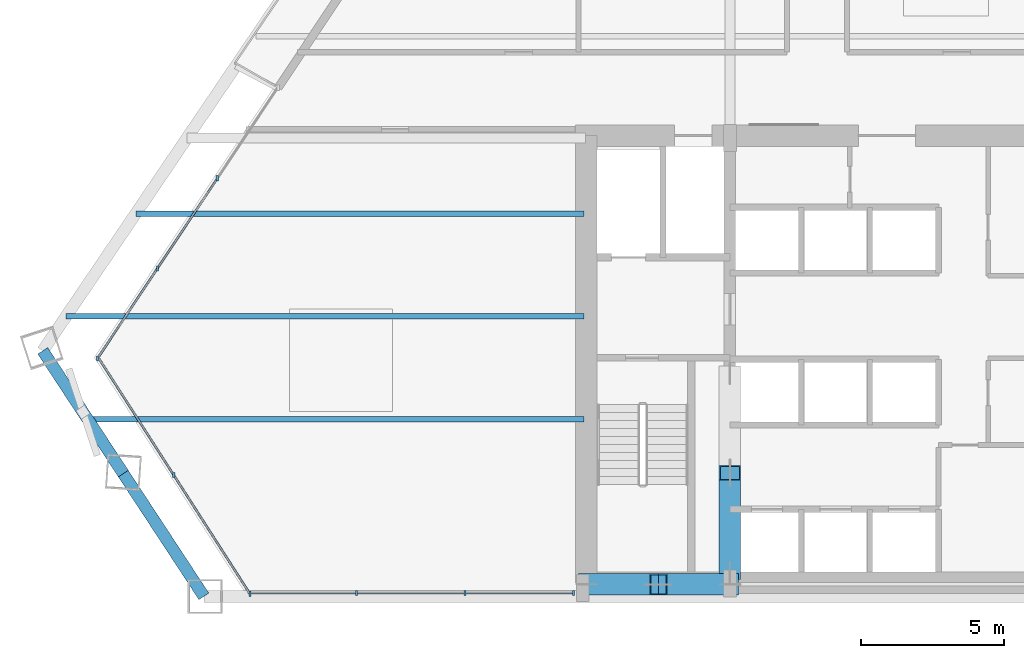
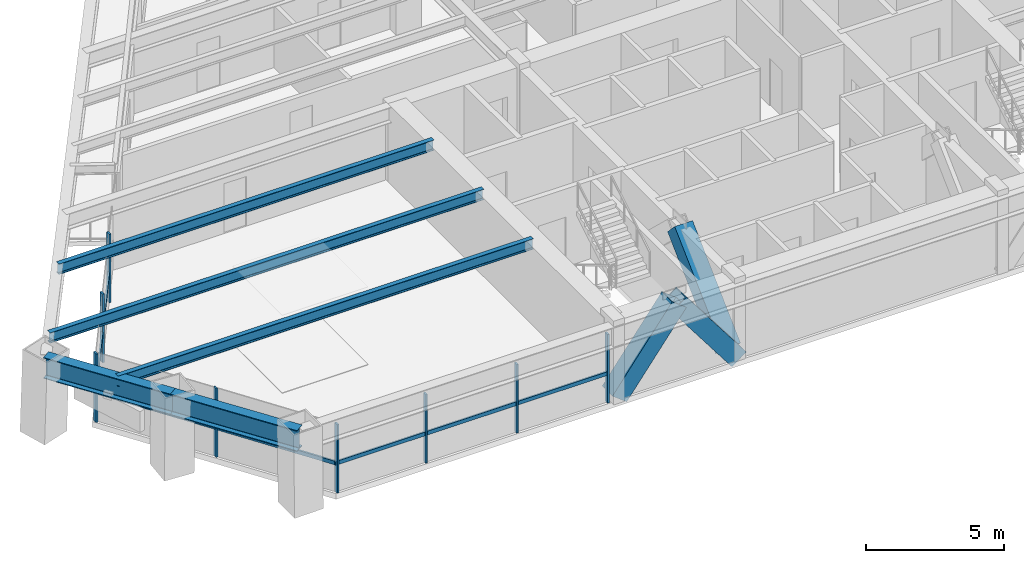
# One storey, part 2 of 14: 18 members, 5 beams, 3 elements without a shape of their own.
"""IFC4 building model written with IfcOpenShell, lengths in metres."""

from ifc_helpers import new_model, si_unit, direction, frame, origin, origin_2d, place, context, subcontext, project, spatial, rectangle, hollow_rectangle, i_section, extrude, source, transform, mapped, material, material_profile, profile_set, type_object, element, aggregate, save


model = new_model("IFC4")

# Units and contexts
model_context = context("Model", 3, precision=1e-05, world=origin(), true_north=direction((0.0, 1.0)))
body_context = subcontext(model_context, "Body", "Model", "MODEL_VIEW")
ifc_project = project(units=[si_unit("LENGTHUNIT", "METRE"), si_unit("AREAUNIT", "SQUARE_METRE"), si_unit("VOLUMEUNIT", "CUBIC_METRE"), si_unit("PLANEANGLEUNIT", "RADIAN"), si_unit("MASSUNIT", "GRAM", prefix="KILO")], contexts=[model_context])

# Site, building, storey
site_placement = place(None, origin())
site = spatial("IfcSite", under=ifc_project, at=site_placement, CompositionType="ELEMENT")
building_placement = place(site_placement, origin())
building = spatial("IfcBuilding", under=site, at=building_placement, Name="Varnakhor Terracotta Tower", CompositionType="ELEMENT")
storey_placement = place(building_placement, frame((0.0, 0.0, 113.60009765625)))
storey = spatial("IfcBuildingStorey", under=building, at=storey_placement, Name="L28", CompositionType="ELEMENT", Elevation=113.60009765625)

# Members
ifc_material_1 = material(Name="Steel S460", Category="steel")
ifc_material_profile_1 = material_profile(ifc_material_1, hollow_rectangle(XDim=0.75, YDim=0.75, WallThickness=0.044921875, at=origin_2d()), Name="HSS750X750X45")
ifc_profile_set_1 = profile_set([ifc_material_profile_1], Name="Steel S460")
member_type_1 = type_object("IfcMemberType", Name="MBR-MEGA-750", PredefinedType="BRACE", material=ifc_profile_set_1)
shared_shape_1 = source(origin(), body_context, "Body", "SweptSolid", [
    extrude(hollow_rectangle(XDim=0.75, YDim=0.75, WallThickness=0.044921875, at=origin_2d()), origin(), (0.0, 0.0, 1.0), 4.139892578125),
])
for number, where, z_axis, x_axis, name in (
    (1, (-10.5, 0.419921875, 0.0), (0.603880396023, 0.0, 0.797074944594), (0.0, 1.0, 0.0), "L28 Core Coupled Brace CSWA"),
    (2, (-5.5, 0.419921875, 0.0), (-0.603880396023, 0.0, 0.797074944594), (0.0, -1.0, 0.0), "L28 Core Coupled Brace CSWB"),
):
    element("IfcMember", number, at=place(storey_placement, frame(where, z_axis=z_axis, x_axis=x_axis)), inside=storey, type_object=member_type_1, Name=name, PredefinedType="BRACE", context=body_context, shape_type="MappedRepresentation", body=[
        mapped(shared_shape_1, transform((0.0, 0.0, 0.0), scale=1.0)),
    ])
shared_shape_2 = source(origin(), body_context, "Body", "SweptSolid", [
    extrude(hollow_rectangle(XDim=0.75, YDim=0.75, WallThickness=0.044921875, at=origin_2d()), origin(), (0.0, 0.0, 1.0), 4.7919921875),
])
member_1_placement = place(storey_placement, frame((-5.5, 0.85009765625, 0.0), z_axis=(0.0, 0.725135524869, 0.688606179592), x_axis=(-1.0, 0.0, 0.0)))
element("IfcMember", 3, at=member_1_placement, inside=storey, type_object=member_type_1, Name="L28 Core Coupled Brace CWWA", PredefinedType="BRACE", context=body_context, shape_type="MappedRepresentation", body=[
    mapped(shared_shape_2, transform((0.0, 0.0, 0.0), scale=1.0)),
])

# Beams
ifc_material_2 = material(Name="Steel S355", Category="steel")
ifc_material_profile_2 = material_profile(ifc_material_2, i_section(OverallWidth=0.41796875, OverallDepth=0.927001953125, WebThickness=0.01904296875, FlangeThickness=0.031982421875, FilletRadius=0.01806640625, at=origin_2d()), Name="W36X231")
ifc_profile_set_2 = profile_set([ifc_material_profile_2], Name="Steel S355")
beam_type_1 = type_object("IfcBeamType", Name="BM-W36X231", PredefinedType="BEAM", material=ifc_profile_set_2)
shared_shape_3 = source(origin(), body_context, "Body", "SweptSolid", [
    extrude(i_section(OverallWidth=0.41796875, OverallDepth=0.927001953125, WebThickness=0.01904296875, FlangeThickness=0.031982421875, FilletRadius=0.01806640625, at=origin_2d()), origin(), (0.0, 0.0, 1.0), 5.1416015625),
])
beam_1_placement = place(storey_placement, frame((-29.55078125, 8.596435546875, 2.986328125), z_axis=(0.548724894371, -0.836002984622, 0.0), x_axis=(0.836002984622, 0.548724894371, 0.0)))
element("IfcBeam", 4, at=beam_1_placement, inside=storey, type_object=beam_type_1, Name="L28 Perimeter Spandrel 7", PredefinedType="BEAM", context=body_context, shape_type="MappedRepresentation", body=[
    mapped(shared_shape_3, transform((0.0, 0.0, 0.0), scale=1.0)),
])
shared_shape_4 = source(origin(), body_context, "Body", "SweptSolid", [
    extrude(i_section(OverallWidth=0.41796875, OverallDepth=0.927001953125, WebThickness=0.01904296875, FlangeThickness=0.031982421875, FilletRadius=0.01806640625, at=origin_2d()), origin(), (0.0, 0.0, 1.0), 5.141357421875),
])
beam_2_placement = place(storey_placement, frame((-26.7294921875, 4.298095703125, 2.986328125), z_axis=(0.548779863132, -0.835966902348, 0.0), x_axis=(0.835966902348, 0.548779863132, 0.0)))
element("IfcBeam", 5, at=beam_2_placement, inside=storey, type_object=beam_type_1, Name="L28 Perimeter Spandrel 8", PredefinedType="BEAM", context=body_context, shape_type="MappedRepresentation", body=[
    mapped(shared_shape_4, transform((0.0, 0.0, 0.0), scale=1.0)),
])
ifc_material_profile_3 = material_profile(ifc_material_2, i_section(OverallWidth=0.19189453125, OverallDepth=0.462890625, WebThickness=0.010498046875, FlangeThickness=0.017578125, FilletRadius=0.01806640625, at=origin_2d()), Name="W18X60")
ifc_profile_set_3 = profile_set([ifc_material_profile_3], Name="Steel S355")
beam_type_2 = type_object("IfcBeamType", Name="JST-W18X60", PredefinedType="JOIST", material=ifc_profile_set_3)
shared_shape_5 = source(origin(), body_context, "Body", "SweptSolid", [
    extrude(i_section(OverallWidth=0.19189453125, OverallDepth=0.462890625, WebThickness=0.010498046875, FlangeThickness=0.017578125, FilletRadius=0.01806640625, at=origin_2d()), origin(), (0.0, 0.0, 1.0), 17.377685546875),
])
beam_3_placement = place(storey_placement, frame((-27.977783203125, 6.199951171875, 3.218505859375), z_axis=(1.0, 0.0, 0.0), x_axis=(0.0, 1.0, 0.0)))
element("IfcBeam", 6, at=beam_3_placement, inside=storey, type_object=beam_type_2, Name="L28 Floor Joist W1", PredefinedType="JOIST", context=body_context, shape_type="MappedRepresentation", body=[
    mapped(shared_shape_5, transform((0.0, 0.0, 0.0), scale=1.0)),
])
shared_shape_6 = source(origin(), body_context, "Body", "SweptSolid", [
    extrude(i_section(OverallWidth=0.19189453125, OverallDepth=0.462890625, WebThickness=0.010498046875, FlangeThickness=0.017578125, FilletRadius=0.01806640625, at=origin_2d()), origin(), (0.0, 0.0, 1.0), 18.134765625),
])
beam_4_placement = place(storey_placement, frame((-28.73486328125, 9.800048828125, 3.218505859375), z_axis=(1.0, 0.0, 0.0), x_axis=(0.0, 1.0, 0.0)))
element("IfcBeam", 7, at=beam_4_placement, inside=storey, type_object=beam_type_2, Name="L28 Floor Joist W2", PredefinedType="JOIST", context=body_context, shape_type="MappedRepresentation", body=[
    mapped(shared_shape_6, transform((0.0, 0.0, 0.0), scale=1.0)),
])
shared_shape_7 = source(origin(), body_context, "Body", "SweptSolid", [
    extrude(i_section(OverallWidth=0.19189453125, OverallDepth=0.462890625, WebThickness=0.010498046875, FlangeThickness=0.017578125, FilletRadius=0.01806640625, at=origin_2d()), origin(), (0.0, 0.0, 1.0), 15.69384765625),
])
beam_5_placement = place(storey_placement, frame((-26.2939453125, 13.39990234375, 3.218505859375), z_axis=(1.0, 0.0, 0.0), x_axis=(0.0, 1.0, 0.0)))
element("IfcBeam", 8, at=beam_5_placement, inside=storey, type_object=beam_type_2, Name="L28 Floor Joist W3", PredefinedType="JOIST", context=body_context, shape_type="MappedRepresentation", body=[
    mapped(shared_shape_7, transform((0.0, 0.0, 0.0), scale=1.0)),
])

# Curtain wall, members
ifc_material_3 = material(Name="Anodised Aluminium Curtain Wall System", Category="aluminium")
curtain_wall_type = type_object("IfcCurtainWallType", Name="CW-SYS-LOW-OFFICE", PredefinedType="NOTDEFINED", material=ifc_material_3)
curtain_wall_1_placement = place(storey_placement, origin())
curtain_wall_1 = element("IfcCurtainWall", 9, at=curtain_wall_1_placement, inside=storey, type_object=curtain_wall_type, Name="L28 W Facet Curtain Wall 1", PredefinedType="NOTDEFINED")
ifc_material_4 = material(Name="Anodised Aluminium 6063-T6", Category="aluminium")
ifc_material_profile_4 = material_profile(ifc_material_4, rectangle(XDim=0.074951171875, YDim=0.18505859375, at=origin_2d()), Name="ALU MULLION 75x185")
ifc_profile_set_4 = profile_set([ifc_material_profile_4], Name="Anodised Aluminium 6063-T6")
member_type_2 = type_object("IfcMemberType", Name="CWM-02", PredefinedType="MULLION", material=ifc_profile_set_4)
shared_shape_8 = source(origin(), body_context, "Body", "SweptSolid", [
    extrude(rectangle(XDim=0.074951171875, YDim=0.18505859375, at=origin_2d()), origin(), (0.0, 0.0, 1.0), 3.02978515625),
])
member_2_placement = place(storey_placement, frame((-27.635009765625, 8.324462890625, 0.0), z_axis=(0.0, 0.0, 1.0), x_axis=(1.0, 0.0, 0.0)))
member_2 = element("IfcMember", 10, at=member_2_placement, type_object=member_type_2, Name="L28 W Facet Curtain Wall 1 Mullion 1", PredefinedType="MULLION", context=body_context, shape_type="MappedRepresentation", body=[
    mapped(shared_shape_8, transform((0.0, 0.0, 0.0), scale=1.0)),
])
member_3_placement = place(storey_placement, frame((-25.537109375, 11.47802734375, 0.0), z_axis=(0.0, 0.0, 1.0), x_axis=(1.0, 0.0, 0.0)))
member_3 = element("IfcMember", 11, at=member_3_placement, type_object=member_type_2, Name="L28 W Facet Curtain Wall 1 Mullion 2", PredefinedType="MULLION", context=body_context, shape_type="MappedRepresentation", body=[
    mapped(shared_shape_8, transform((0.0, 0.0, 0.0), scale=1.0)),
])
member_4_placement = place(storey_placement, frame((-23.439453125, 14.6318359375, 0.0), z_axis=(0.0, 0.0, 1.0), x_axis=(1.0, 0.0, 0.0)))
member_4 = element("IfcMember", 12, at=member_4_placement, type_object=member_type_2, Name="L28 W Facet Curtain Wall 1 Mullion 3", PredefinedType="MULLION", context=body_context, shape_type="MappedRepresentation", body=[
    mapped(shared_shape_8, transform((0.0, 0.0, 0.0), scale=1.0)),
])

curtain_wall_2_placement = place(storey_placement, origin())
curtain_wall_2 = element("IfcCurtainWall", 13, at=curtain_wall_2_placement, inside=storey, type_object=curtain_wall_type, Name="L28 South Wing Curtain Wall SSW", PredefinedType="NOTDEFINED")
member_5_placement = place(storey_placement, frame((-10.969970703125, 0.1201171875, 0.0), z_axis=(0.0, 0.0, 1.0), x_axis=(1.0, 0.0, 0.0)))
member_5 = element("IfcMember", 14, at=member_5_placement, type_object=member_type_2, Name="L28 South Wing Curtain Wall SSW Mullion 1", PredefinedType="MULLION", context=body_context, shape_type="MappedRepresentation", body=[
    mapped(shared_shape_8, transform((0.0, 0.0, 0.0), scale=1.0)),
])
member_6_placement = place(storey_placement, frame((-14.770751953125, 0.1201171875, 0.0), z_axis=(0.0, 0.0, 1.0), x_axis=(1.0, 0.0, 0.0)))
member_6 = element("IfcMember", 15, at=member_6_placement, type_object=member_type_2, Name="L28 South Wing Curtain Wall SSW Mullion 2", PredefinedType="MULLION", context=body_context, shape_type="MappedRepresentation", body=[
    mapped(shared_shape_8, transform((0.0, 0.0, 0.0), scale=1.0)),
])
member_7_placement = place(storey_placement, frame((-18.571533203125, 0.1201171875, 0.0), z_axis=(0.0, 0.0, 1.0), x_axis=(1.0, 0.0, 0.0)))
member_7 = element("IfcMember", 16, at=member_7_placement, type_object=member_type_2, Name="L28 South Wing Curtain Wall SSW Mullion 3", PredefinedType="MULLION", context=body_context, shape_type="MappedRepresentation", body=[
    mapped(shared_shape_8, transform((0.0, 0.0, 0.0), scale=1.0)),
])

curtain_wall_3_placement = place(storey_placement, origin())
curtain_wall_3 = element("IfcCurtainWall", 17, at=curtain_wall_3_placement, inside=storey, type_object=curtain_wall_type, Name="L28 Facet Curtain Wall 6", PredefinedType="NOTDEFINED")
member_8_placement = place(storey_placement, frame((-22.29736328125, 0.090087890625, 0.0), z_axis=(0.0, 0.0, 1.0), x_axis=(1.0, 0.0, 0.0)))
member_8 = element("IfcMember", 18, at=member_8_placement, type_object=member_type_2, Name="L28 Facet Curtain Wall 6 Mullion 1", PredefinedType="MULLION", context=body_context, shape_type="MappedRepresentation", body=[
    mapped(shared_shape_8, transform((0.0, 0.0, 0.0), scale=1.0)),
])
member_9_placement = place(storey_placement, frame((-24.9658203125, 4.247802734375, 0.0), z_axis=(0.0, 0.0, 1.0), x_axis=(1.0, 0.0, 0.0)))
member_9 = element("IfcMember", 19, at=member_9_placement, type_object=member_type_2, Name="L28 Facet Curtain Wall 6 Mullion 2", PredefinedType="MULLION", context=body_context, shape_type="MappedRepresentation", body=[
    mapped(shared_shape_8, transform((0.0, 0.0, 0.0), scale=1.0)),
])

# Member
ifc_material_profile_5 = material_profile(ifc_material_4, rectangle(XDim=0.074951171875, YDim=0.1650390625, at=origin_2d()), Name="ALU TRANSOM 75x165")
ifc_profile_set_5 = profile_set([ifc_material_profile_5], Name="Anodised Aluminium 6063-T6")
member_type_3 = type_object("IfcMemberType", Name="CWT-02", PredefinedType="USERDEFINED", material=ifc_profile_set_5)
shared_shape_9 = source(origin(), body_context, "Body", "SweptSolid", [
    extrude(rectangle(XDim=0.074951171875, YDim=0.1650390625, at=origin_2d()), origin(), (0.0, 0.0, 1.0), 3.78759765625),
])
member_10_placement = place(storey_placement, frame((-27.635009765625, 8.324462890625, 1.2724609375), z_axis=(0.553881815855, 0.83259530029, 0.0), x_axis=(-0.83259530029, 0.553881815855, 0.0)))
member_10 = element("IfcMember", 20, at=member_10_placement, type_object=member_type_3, Name="L28 W Facet Curtain Wall 1 Transom 1", ObjectType="TRANSOM", PredefinedType="USERDEFINED", context=body_context, shape_type="MappedRepresentation", body=[
    mapped(shared_shape_9, transform((0.0, 0.0, 0.0), scale=1.0)),
])

member_11_placement = place(storey_placement, frame((-25.537109375, 11.47802734375, 1.2724609375), z_axis=(0.553807407096, 0.832644795724, 0.0), x_axis=(-0.832644795724, 0.553807407096, 0.0)))
member_11 = element("IfcMember", 21, at=member_11_placement, type_object=member_type_3, Name="L28 W Facet Curtain Wall 1 Transom 2", ObjectType="TRANSOM", PredefinedType="USERDEFINED", context=body_context, shape_type="MappedRepresentation", body=[
    mapped(shared_shape_9, transform((0.0, 0.0, 0.0), scale=1.0)),
])

aggregate(curtain_wall_1, [member_2, member_10, member_3, member_11, member_4])

shared_shape_10 = source(origin(), body_context, "Body", "SweptSolid", [
    extrude(rectangle(XDim=0.074951171875, YDim=0.1650390625, at=origin_2d()), origin(), (0.0, 0.0, 1.0), 3.80078125),
])
member_12_placement = place(storey_placement, frame((-10.969970703125, 0.1201171875, 1.2724609375), z_axis=(-1.0, 0.0, 0.0), x_axis=(0.0, -1.0, 0.0)))
member_12 = element("IfcMember", 22, at=member_12_placement, type_object=member_type_3, Name="L28 South Wing Curtain Wall SSW Transom 1", ObjectType="TRANSOM", PredefinedType="USERDEFINED", context=body_context, shape_type="MappedRepresentation", body=[
    mapped(shared_shape_10, transform((0.0, 0.0, 0.0), scale=1.0)),
])

member_13_placement = place(storey_placement, frame((-14.770751953125, 0.1201171875, 1.2724609375), z_axis=(-1.0, 0.0, 0.0), x_axis=(0.0, -1.0, 0.0)))
member_13 = element("IfcMember", 23, at=member_13_placement, type_object=member_type_3, Name="L28 South Wing Curtain Wall SSW Transom 2", ObjectType="TRANSOM", PredefinedType="USERDEFINED", context=body_context, shape_type="MappedRepresentation", body=[
    mapped(shared_shape_10, transform((0.0, 0.0, 0.0), scale=1.0)),
])

member_14_placement = place(storey_placement, frame((-18.571533203125, 0.1201171875, 1.2724609375), z_axis=(-1.0, 0.0, 0.0), x_axis=(0.0, -1.0, 0.0)))
member_14 = element("IfcMember", 24, at=member_14_placement, type_object=member_type_3, Name="L28 South Wing Curtain Wall SSW Transom 3", ObjectType="TRANSOM", PredefinedType="USERDEFINED", context=body_context, shape_type="MappedRepresentation", body=[
    mapped(shared_shape_10, transform((0.0, 0.0, 0.0), scale=1.0)),
])

aggregate(curtain_wall_2, [member_5, member_12, member_6, member_13, member_7, member_14])

shared_shape_11 = source(origin(), body_context, "Body", "SweptSolid", [
    extrude(rectangle(XDim=0.074951171875, YDim=0.1650390625, at=origin_2d()), origin(), (0.0, 0.0, 1.0), 4.9404296875),
])
member_15_placement = place(storey_placement, frame((-22.29736328125, 0.090087890625, 1.2724609375), z_axis=(-0.540133033766, 0.841579649133, 0.0), x_axis=(-0.841579649133, -0.540133033766, 0.0)))
member_15 = element("IfcMember", 25, at=member_15_placement, type_object=member_type_3, Name="L28 Facet Curtain Wall 6 Transom 1", ObjectType="TRANSOM", PredefinedType="USERDEFINED", context=body_context, shape_type="MappedRepresentation", body=[
    mapped(shared_shape_11, transform((0.0, 0.0, 0.0), scale=1.0)),
])

member_16_placement = place(storey_placement, frame((-24.9658203125, 4.247802734375, 1.2724609375), z_axis=(-0.540133033766, 0.841579649133, 0.0), x_axis=(-0.841579649133, -0.540133033766, 0.0)))
member_16 = element("IfcMember", 26, at=member_16_placement, type_object=member_type_3, Name="L28 Facet Curtain Wall 6 Transom 2", ObjectType="TRANSOM", PredefinedType="USERDEFINED", context=body_context, shape_type="MappedRepresentation", body=[
    mapped(shared_shape_11, transform((0.0, 0.0, 0.0), scale=1.0)),
])

aggregate(curtain_wall_3, [member_8, member_15, member_9, member_16])

save(model, "model.ifc")
